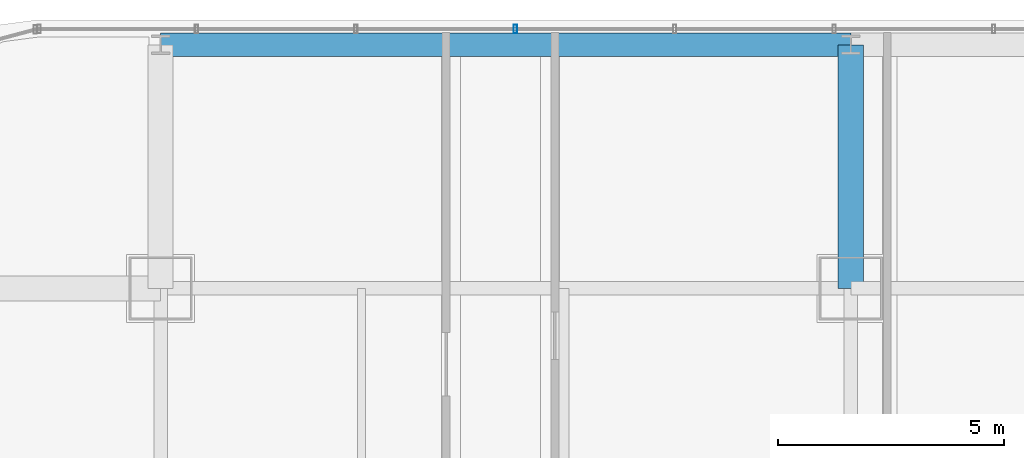
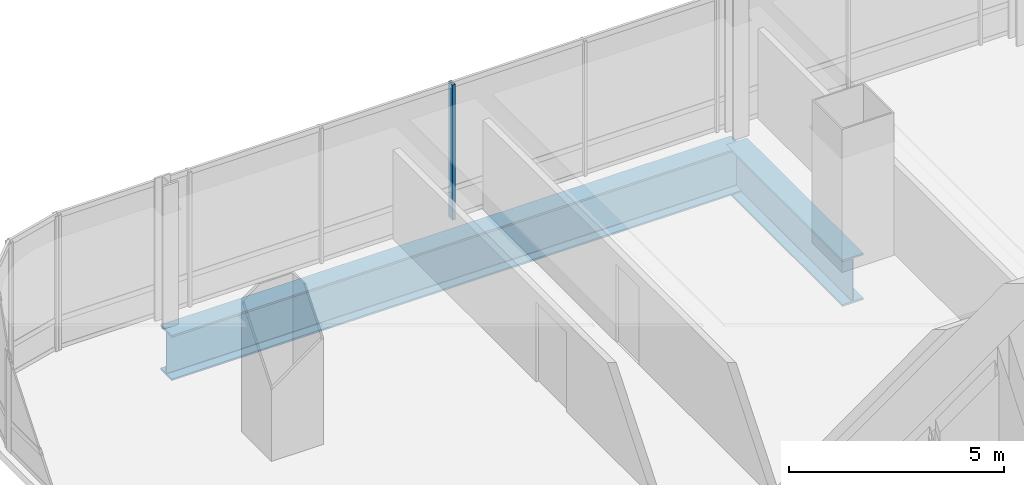
# One storey, part 22 of 38: 2 beams, 1 member, 1 element without a shape of its own.
"""IFC4 building model written with IfcOpenShell, lengths in metres."""

from ifc_helpers import new_model, si_unit, direction, frame, origin, origin_2d, place, context, subcontext, project, spatial, hollow_rectangle, i_section, extrude, material, material_profile, profile_set, type_object, element, aggregate, save


model = new_model("IFC4")

# Units and contexts
model_context = context("Model", 3, precision=1e-05, world=origin(), true_north=direction((0.0, 1.0)))
body_context = subcontext(model_context, "Body", "Model", "MODEL_VIEW")
ifc_project = project(units=[si_unit("LENGTHUNIT", "METRE"), si_unit("AREAUNIT", "SQUARE_METRE"), si_unit("VOLUMEUNIT", "CUBIC_METRE"), si_unit("PLANEANGLEUNIT", "RADIAN"), si_unit("MASSUNIT", "GRAM", prefix="KILO")], contexts=[model_context])

# Site, building, storey
site_placement = place(None, origin())
site = spatial("IfcSite", under=ifc_project, at=site_placement, CompositionType="ELEMENT")
building_placement = place(site_placement, origin())
building = spatial("IfcBuilding", under=site, at=building_placement, Name="Punatoya Terracotta Tower", CompositionType="ELEMENT")
storey_placement = place(building_placement, frame((0.0, 0.0, 143.85009765625)))
storey = spatial("IfcBuildingStorey", under=building, at=storey_placement, Name="L33", CompositionType="ELEMENT", Elevation=143.85009765625)

# Beams
ifc_material_1 = material(Name="Steel S460", Category="steel")
ifc_material_profile_1 = material_profile(ifc_material_1, i_section(OverallWidth=0.56005859375, OverallDepth=1.320068359375, WebThickness=0.035888671875, FlangeThickness=0.054931640625, FilletRadius=0.01806640625, at=origin_2d()))
ifc_profile_set_1 = profile_set([ifc_material_profile_1], Name="Steel S460")
beam_type_1 = type_object("IfcBeamType", Name="BM-TG-BLK", PredefinedType="BEAM", material=ifc_profile_set_1)
beam_1_placement = place(storey_placement, frame((-3.800048828125, 17.5, -0.880126953125), z_axis=(0.0, 1.0, 0.0), x_axis=(-1.0, 0.0, 0.0)))
element("IfcBeam", 1, at=beam_1_placement, inside=storey, type_object=beam_type_1, Name="BM-L33-CANT-N2", PredefinedType="BEAM", context=body_context, shape_type="SweptSolid", body=[
    extrude(i_section(OverallWidth=0.56005859375, OverallDepth=1.320068359375, WebThickness=0.035888671875, FlangeThickness=0.054931640625, FilletRadius=0.01806640625, at=origin_2d()), origin(), (0.0, 0.0, 1.0), 5.39990234375),
])
ifc_material_profile_2 = material_profile(ifc_material_1, i_section(OverallWidth=0.52001953125, OverallDepth=1.280029296875, WebThickness=0.031982421875, FlangeThickness=0.050048828125, FilletRadius=0.01806640625, at=origin_2d()))
ifc_profile_set_2 = profile_set([ifc_material_profile_2], Name="Steel S460")
beam_type_2 = type_object("IfcBeamType", Name="BM-TG-NCK", PredefinedType="BEAM", material=ifc_profile_set_2)
beam_2_placement = place(storey_placement, frame((-19.10009765625, 22.89990234375, -0.860107421875), z_axis=(1.0, 0.0, 0.0), x_axis=(0.0, 1.0, 0.0)))
element("IfcBeam", 2, at=beam_2_placement, inside=storey, type_object=beam_type_2, Name="BM-L33-PER-N1", PredefinedType="BEAM", context=body_context, shape_type="SweptSolid", body=[
    extrude(i_section(OverallWidth=0.52001953125, OverallDepth=1.280029296875, WebThickness=0.031982421875, FlangeThickness=0.050048828125, FilletRadius=0.01806640625, at=origin_2d()), origin(), (0.0, 0.0, 1.0), 15.300048828125),
])

# Curtain wall, member
ifc_material_2 = material(Name="Aluminium 6063-T6 + Double Low-E Glass", Category="aluminium")
curtain_wall_type = type_object("IfcCurtainWallType", Name="CW-M2", PredefinedType="NOTDEFINED", material=ifc_material_2)
curtain_wall_placement = place(storey_placement, origin())
curtain_wall = element("IfcCurtainWall", 3, at=curtain_wall_placement, inside=storey, type_object=curtain_wall_type, Name="L33 Curtain Wall CW-L33-N09-1", PredefinedType="NOTDEFINED")
ifc_material_3 = material(Name="Aluminium 6063-T6", Category="aluminium")
ifc_material_profile_3 = material_profile(ifc_material_3, hollow_rectangle(XDim=0.072021484375, YDim=0.195068359375, WallThickness=0.00439453125, at=origin_2d()))
ifc_profile_set_3 = profile_set([ifc_material_profile_3], Name="Aluminium 6063-T6")
member_type = type_object("IfcMemberType", Name="CW-MUL-M2", PredefinedType="MULLION", material=ifc_profile_set_3)
member_placement = place(storey_placement, frame((-11.235107421875, 23.25, 0.0), z_axis=(0.0, 0.0, 1.0), x_axis=(1.0, 0.0, 0.0)))
member = element("IfcMember", 4, at=member_placement, type_object=member_type, Name="CW-L33-N09-1 Mullion 08", PredefinedType="MULLION", context=body_context, shape_type="SweptSolid", body=[
    extrude(hollow_rectangle(XDim=0.072021484375, YDim=0.195068359375, WallThickness=0.00439453125, at=origin_2d()), origin(), (0.0, 0.0, 1.0), 3.829833984375),
])
aggregate(curtain_wall, [member])

save(model, "model.ifc")
